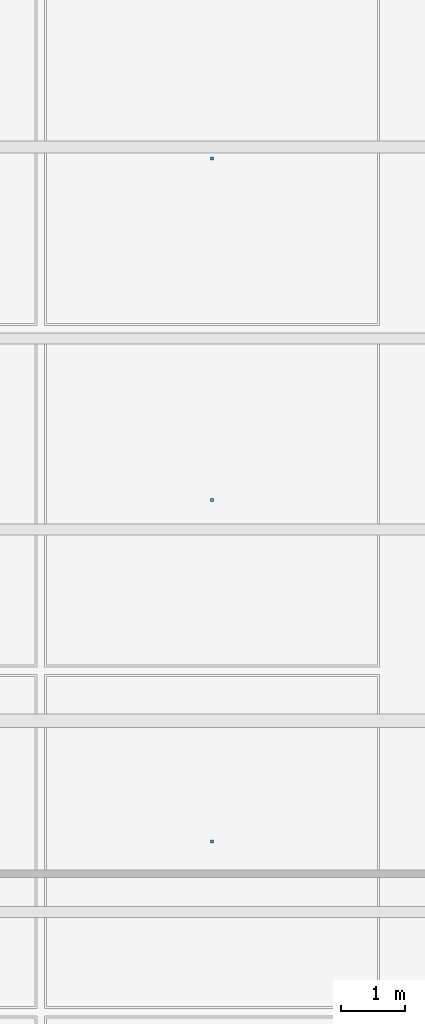
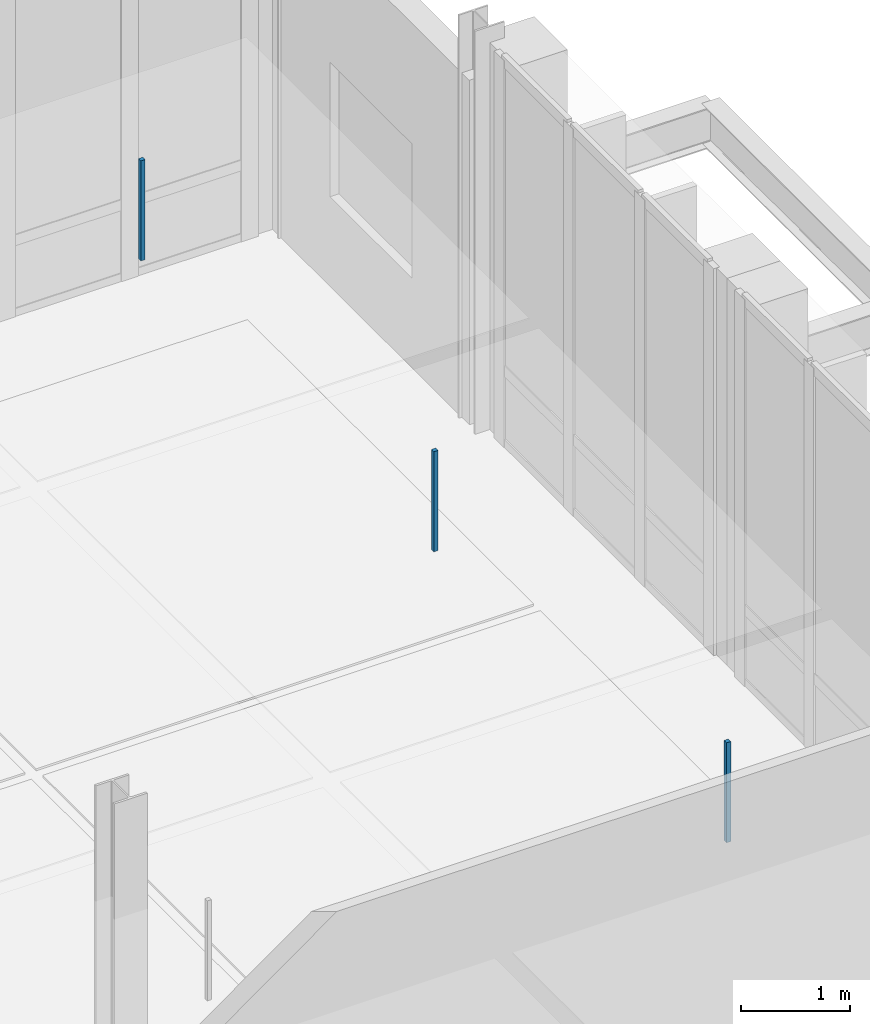
# One storey, part 126 of 140: 3 discrete accessories.
"""IFC4 building model written with IfcOpenShell, lengths in metres."""

from ifc_helpers import new_model, si_unit, direction, frame, origin, origin_2d, place, context, subcontext, project, spatial, rectangle, extrude, material, type_object, element, save


model = new_model("IFC4")

# Units and contexts
model_context = context("Model", 3, precision=1e-05, world=origin(), true_north=direction((0.0, 1.0)))
body_context = subcontext(model_context, "Body", "Model", "MODEL_VIEW")
ifc_project = project(units=[si_unit("LENGTHUNIT", "METRE"), si_unit("AREAUNIT", "SQUARE_METRE"), si_unit("VOLUMEUNIT", "CUBIC_METRE"), si_unit("PLANEANGLEUNIT", "RADIAN"), si_unit("MASSUNIT", "GRAM", prefix="KILO"), si_unit("THERMODYNAMICTEMPERATUREUNIT", "KELVIN"), si_unit("POWERUNIT", "WATT")], contexts=[model_context])

# Site, building, storey
site_placement = place(None, origin())
site = spatial("IfcSite", under=ifc_project, at=site_placement, CompositionType="ELEMENT")
building_placement = place(site_placement, origin())
building = spatial("IfcBuilding", under=site, at=building_placement, Name="Tallowbark Science Centre", CompositionType="ELEMENT")
storey_placement = place(building_placement, frame((0.0, 0.0, 9.89990234375)))
storey = spatial("IfcBuildingStorey", under=building, at=storey_placement, Name="L02", CompositionType="ELEMENT", Elevation=9.89990234375)

# Discrete accessories
ifc_material = material(Name="Galvanised Steel Grade C350L0 (350 MPa)", Category="steel")
discrete_accessory_type = type_object("IfcDiscreteAccessoryType", Name="ACC-CLG-HNG", PredefinedType="BRACKET", material=ifc_material)
for number, where, z_axis, x_axis, name in (
    (1, (153.8125, 97.107177734375, 3.2060546875), (0.0, 0.0, 1.0), (1.0, 0.0, 0.0), "Ceiling Hanger Bracket L02-943"),
    (2, (153.8125, 102.46435546875, 3.2060546875), (0.0, 0.0, 1.0), (1.0, 0.0, 0.0), "Ceiling Hanger Bracket L02-944"),
    (3, (153.8125, 107.8212890625, 3.2060546875), (0.0, 0.0, 1.0), (1.0, 0.0, 0.0), "Ceiling Hanger Bracket L02-945"),
):
    element("IfcDiscreteAccessory", number, at=place(storey_placement, frame(where, z_axis=z_axis, x_axis=x_axis)), inside=storey, type_object=discrete_accessory_type, Name=name, PredefinedType="BRACKET", context=body_context, shape_type="SweptSolid", body=[
        extrude(rectangle(XDim=0.044921875, YDim=0.044921875, at=origin_2d()), origin(), (0.0, 0.0, 1.0), 1.116943359375),
    ])

save(model, "model.ifc")
